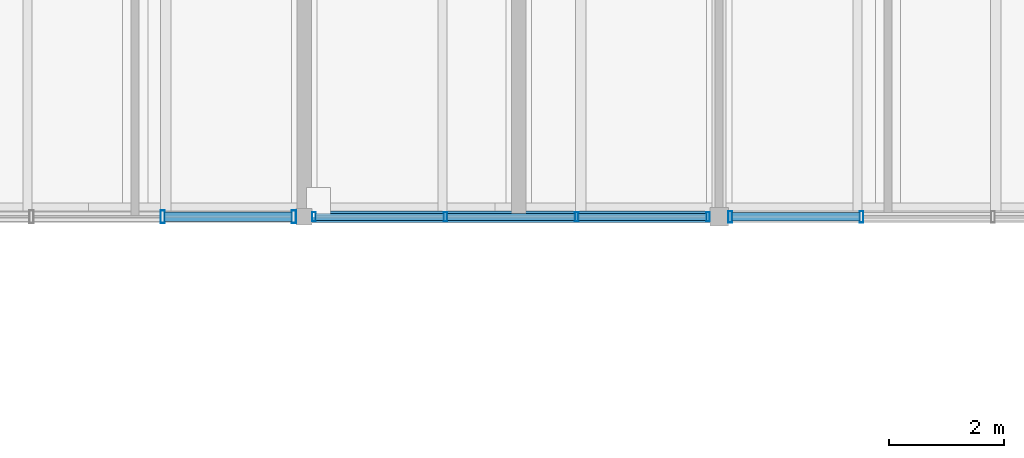
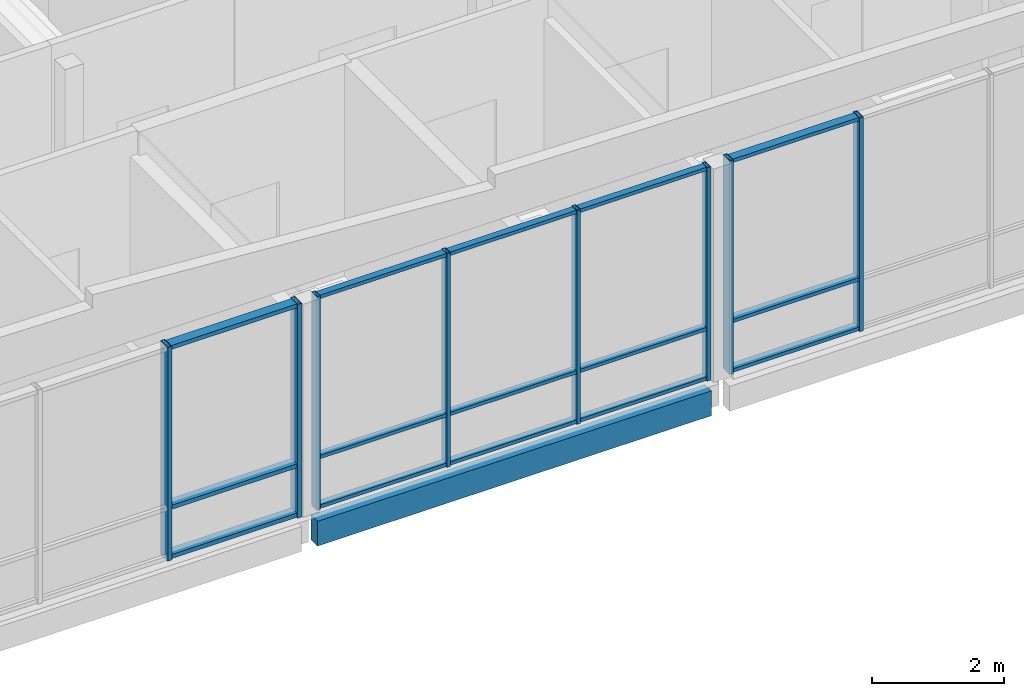
# One storey, part 12 of 32: 23 members, 1 beam, 3 elements without a shape of their own.
"""IFC4 building model written with IfcOpenShell, lengths in metres."""

from ifc_helpers import new_model, si_unit, direction, frame, origin, origin_2d, place, context, subcontext, project, spatial, rectangle, hollow_rectangle, extrude, material, material_profile, profile_set, type_object, element, aggregate, save


model = new_model("IFC4")

# Units and contexts
model_context = context("Model", 3, precision=1e-05, world=origin(), true_north=direction((0.0, 1.0)))
body_context = subcontext(model_context, "Body", "Model", "MODEL_VIEW")
ifc_project = project(units=[si_unit("LENGTHUNIT", "METRE"), si_unit("AREAUNIT", "SQUARE_METRE"), si_unit("VOLUMEUNIT", "CUBIC_METRE"), si_unit("PLANEANGLEUNIT", "RADIAN"), si_unit("MASSUNIT", "GRAM", prefix="KILO")], contexts=[model_context])

# Site, building, storey
site_placement = place(None, origin())
site = spatial("IfcSite", under=ifc_project, at=site_placement, CompositionType="ELEMENT")
building_placement = place(site_placement, origin())
building = spatial("IfcBuilding", under=site, at=building_placement, Name="Hawrajan Terrace Health Centre", CompositionType="ELEMENT")
storey_placement = place(building_placement, frame((0.0, 0.0, 17.39990234375)))
storey = spatial("IfcBuildingStorey", under=building, at=storey_placement, Name="L04", CompositionType="ELEMENT", Elevation=17.39990234375)

# Curtain wall, members
ifc_material_1 = material(Name="Anodized bronze aluminium and low-E solar glazing", Category="aluminium")
curtain_wall_type_1 = type_object("IfcCurtainWallType", Name="CW_CourtNS_SeriesC3", PredefinedType="USERDEFINED", material=ifc_material_1)
curtain_wall_1_placement = place(storey_placement, origin())
curtain_wall_1 = element("IfcCurtainWall", 1, at=curtain_wall_1_placement, inside=storey, type_object=curtain_wall_type_1, Name="Curtain wall CW-L04-177", ObjectType="UNITISED CURTAIN WALL", PredefinedType="USERDEFINED")
ifc_material_2 = material(Name="Anodized bronze aluminium 6063-T6", Category="aluminium")
ifc_material_profile_1 = material_profile(ifc_material_2, hollow_rectangle(XDim=0.06494140625, YDim=0.159912109375, WallThickness=0.00390625, at=origin_2d()), Name="CW MUL 65x160")
ifc_profile_set_1 = profile_set([ifc_material_profile_1], Name="Anodized bronze aluminium 6063-T6")
member_type_1 = type_object("IfcMemberType", Name="CWMullion_65x160", PredefinedType="MULLION", material=ifc_profile_set_1)
member_1_placement = place(storey_placement, frame((40.7724609375, 45.39990234375, -0.0048828125), z_axis=(0.0, 0.0, 1.0), x_axis=(1.0, 0.0, 0.0)))
member_1 = element("IfcMember", 2, at=member_1_placement, type_object=member_type_1, Name="Mullion CW-L04-177-M1", PredefinedType="MULLION", context=body_context, shape_type="SweptSolid", body=[
    extrude(hollow_rectangle(XDim=0.06494140625, YDim=0.159912109375, WallThickness=0.00390625, at=origin_2d()), origin(), (0.0, 0.0, 1.0), 3.9599609375),
])
member_2_placement = place(storey_placement, frame((43.05078125, 45.39990234375, -0.0048828125), z_axis=(0.0, 0.0, 1.0), x_axis=(1.0, 0.0, 0.0)))
member_2 = element("IfcMember", 3, at=member_2_placement, type_object=member_type_1, Name="Mullion CW-L04-177-M2", PredefinedType="MULLION", context=body_context, shape_type="SweptSolid", body=[
    extrude(hollow_rectangle(XDim=0.06494140625, YDim=0.159912109375, WallThickness=0.00390625, at=origin_2d()), origin(), (0.0, 0.0, 1.0), 3.9599609375),
])
member_3_placement = place(storey_placement, frame((45.3291015625, 45.39990234375, -0.0048828125), z_axis=(0.0, 0.0, 1.0), x_axis=(1.0, 0.0, 0.0)))
member_3 = element("IfcMember", 4, at=member_3_placement, type_object=member_type_1, Name="Mullion CW-L04-177-M3", PredefinedType="MULLION", context=body_context, shape_type="SweptSolid", body=[
    extrude(hollow_rectangle(XDim=0.06494140625, YDim=0.159912109375, WallThickness=0.00390625, at=origin_2d()), origin(), (0.0, 0.0, 1.0), 3.9599609375),
])
member_4_placement = place(storey_placement, frame((47.607421875, 45.39990234375, -0.0048828125), z_axis=(0.0, 0.0, 1.0), x_axis=(1.0, 0.0, 0.0)))
member_4 = element("IfcMember", 5, at=member_4_placement, type_object=member_type_1, Name="Mullion CW-L04-177-M4", PredefinedType="MULLION", context=body_context, shape_type="SweptSolid", body=[
    extrude(hollow_rectangle(XDim=0.06494140625, YDim=0.159912109375, WallThickness=0.00390625, at=origin_2d()), origin(), (0.0, 0.0, 1.0), 3.9599609375),
])

curtain_wall_type_2 = type_object("IfcCurtainWallType", Name="CW_Hall_SeriesD1", PredefinedType="USERDEFINED", material=ifc_material_1)
curtain_wall_2_placement = place(storey_placement, origin())
curtain_wall_2 = element("IfcCurtainWall", 6, at=curtain_wall_2_placement, inside=storey, type_object=curtain_wall_type_2, Name="Curtain wall CW-L04-178", ObjectType="UNITISED CURTAIN WALL", PredefinedType="USERDEFINED")
ifc_material_profile_2 = material_profile(ifc_material_2, hollow_rectangle(XDim=0.06494140625, YDim=0.199951171875, WallThickness=0.00439453125, at=origin_2d()), Name="CW MUL 65x200")
ifc_profile_set_2 = profile_set([ifc_material_profile_2], Name="Anodized bronze aluminium 6063-T6")
member_type_2 = type_object("IfcMemberType", Name="CWMullion_65x200", PredefinedType="MULLION", material=ifc_profile_set_2)
member_5_placement = place(storey_placement, frame((47.992431640625, 45.39990234375, -0.0048828125), z_axis=(0.0, 0.0, 1.0), x_axis=(1.0, 0.0, 0.0)))
member_5 = element("IfcMember", 7, at=member_5_placement, type_object=member_type_2, Name="Mullion CW-L04-178-M1", PredefinedType="MULLION", context=body_context, shape_type="SweptSolid", body=[
    extrude(hollow_rectangle(XDim=0.06494140625, YDim=0.199951171875, WallThickness=0.00439453125, at=origin_2d()), origin(), (0.0, 0.0, 1.0), 3.9599609375),
])
member_6_placement = place(storey_placement, frame((50.270751953125, 45.39990234375, -0.0048828125), z_axis=(0.0, 0.0, 1.0), x_axis=(1.0, 0.0, 0.0)))
member_6 = element("IfcMember", 8, at=member_6_placement, type_object=member_type_2, Name="Mullion CW-L04-178-M2", PredefinedType="MULLION", context=body_context, shape_type="SweptSolid", body=[
    extrude(hollow_rectangle(XDim=0.06494140625, YDim=0.199951171875, WallThickness=0.00439453125, at=origin_2d()), origin(), (0.0, 0.0, 1.0), 3.9599609375),
])

curtain_wall_type_3 = type_object("IfcCurtainWallType", Name="CW_CourtNS_SeriesC2", PredefinedType="USERDEFINED", material=ifc_material_1)
curtain_wall_3_placement = place(storey_placement, origin())
curtain_wall_3 = element("IfcCurtainWall", 9, at=curtain_wall_3_placement, inside=storey, type_object=curtain_wall_type_3, Name="Curtain wall CW-L04-176", ObjectType="UNITISED CURTAIN WALL", PredefinedType="USERDEFINED")
ifc_material_profile_3 = material_profile(ifc_material_2, hollow_rectangle(XDim=0.074951171875, YDim=0.219970703125, WallThickness=0.0048828125, at=origin_2d()), Name="CW MUL 75x220")
ifc_profile_set_3 = profile_set([ifc_material_profile_3], Name="Anodized bronze aluminium 6063-T6")
member_type_3 = type_object("IfcMemberType", Name="CWMullion_75x220", PredefinedType="MULLION", material=ifc_profile_set_3)
member_7_placement = place(storey_placement, frame((38.1474609375, 45.39990234375, -0.0048828125), z_axis=(0.0, 0.0, 1.0), x_axis=(1.0, 0.0, 0.0)))
member_7 = element("IfcMember", 10, at=member_7_placement, type_object=member_type_3, Name="Mullion CW-L04-176-M3", PredefinedType="MULLION", context=body_context, shape_type="SweptSolid", body=[
    extrude(hollow_rectangle(XDim=0.074951171875, YDim=0.219970703125, WallThickness=0.0048828125, at=origin_2d()), origin(), (0.0, 0.0, 1.0), 3.9599609375),
])
member_8_placement = place(storey_placement, frame((40.422607421875, 45.39990234375, -0.0048828125), z_axis=(0.0, 0.0, 1.0), x_axis=(1.0, 0.0, 0.0)))
member_8 = element("IfcMember", 11, at=member_8_placement, type_object=member_type_3, Name="Mullion CW-L04-176-M4", PredefinedType="MULLION", context=body_context, shape_type="SweptSolid", body=[
    extrude(hollow_rectangle(XDim=0.074951171875, YDim=0.219970703125, WallThickness=0.0048828125, at=origin_2d()), origin(), (0.0, 0.0, 1.0), 3.9599609375),
])

# Member
ifc_material_profile_4 = material_profile(ifc_material_2, hollow_rectangle(XDim=0.06494140625, YDim=0.1201171875, WallThickness=0.00341796875, at=origin_2d()), Name="CW TRN 65x120")
ifc_profile_set_4 = profile_set([ifc_material_profile_4], Name="Anodized bronze aluminium 6063-T6")
member_type_4 = type_object("IfcMemberType", Name="CWTransom_65x120", PredefinedType="USERDEFINED", material=ifc_profile_set_4)
member_9_placement = place(storey_placement, frame((40.799072265625, 45.39990234375, 0.03271484375), z_axis=(1.0, 0.0, 0.0), x_axis=(0.0, 0.0, 1.0)))
member_9 = element("IfcMember", 12, at=member_9_placement, type_object=member_type_4, Name="Transom CW-L04-177-T1-1", ObjectType="TRANSOM", PredefinedType="USERDEFINED", context=body_context, shape_type="SweptSolid", body=[
    extrude(hollow_rectangle(XDim=0.06494140625, YDim=0.1201171875, WallThickness=0.00341796875, at=origin_2d()), origin(), (0.0, 0.0, 1.0), 2.225341796875),
])

member_10_placement = place(storey_placement, frame((40.799072265625, 45.39990234375, 0.9501953125), z_axis=(1.0, 0.0, 0.0), x_axis=(0.0, 0.0, 1.0)))
member_10 = element("IfcMember", 13, at=member_10_placement, type_object=member_type_4, Name="Transom CW-L04-177-T1-2", ObjectType="TRANSOM", PredefinedType="USERDEFINED", context=body_context, shape_type="SweptSolid", body=[
    extrude(hollow_rectangle(XDim=0.06494140625, YDim=0.1201171875, WallThickness=0.00341796875, at=origin_2d()), origin(), (0.0, 0.0, 1.0), 2.225341796875),
])

member_11_placement = place(storey_placement, frame((40.799072265625, 45.39990234375, 3.91748046875), z_axis=(1.0, 0.0, 0.0), x_axis=(0.0, 0.0, 1.0)))
member_11 = element("IfcMember", 14, at=member_11_placement, type_object=member_type_4, Name="Transom CW-L04-177-T1-3", ObjectType="TRANSOM", PredefinedType="USERDEFINED", context=body_context, shape_type="SweptSolid", body=[
    extrude(hollow_rectangle(XDim=0.06494140625, YDim=0.1201171875, WallThickness=0.00341796875, at=origin_2d()), origin(), (0.0, 0.0, 1.0), 2.225341796875),
])

member_12_placement = place(storey_placement, frame((43.077392578125, 45.39990234375, 0.03271484375), z_axis=(1.0, 0.0, 0.0), x_axis=(0.0, 0.0, 1.0)))
member_12 = element("IfcMember", 15, at=member_12_placement, type_object=member_type_4, Name="Transom CW-L04-177-T2-1", ObjectType="TRANSOM", PredefinedType="USERDEFINED", context=body_context, shape_type="SweptSolid", body=[
    extrude(hollow_rectangle(XDim=0.06494140625, YDim=0.1201171875, WallThickness=0.00341796875, at=origin_2d()), origin(), (0.0, 0.0, 1.0), 2.225341796875),
])

member_13_placement = place(storey_placement, frame((43.077392578125, 45.39990234375, 0.9501953125), z_axis=(1.0, 0.0, 0.0), x_axis=(0.0, 0.0, 1.0)))
member_13 = element("IfcMember", 16, at=member_13_placement, type_object=member_type_4, Name="Transom CW-L04-177-T2-2", ObjectType="TRANSOM", PredefinedType="USERDEFINED", context=body_context, shape_type="SweptSolid", body=[
    extrude(hollow_rectangle(XDim=0.06494140625, YDim=0.1201171875, WallThickness=0.00341796875, at=origin_2d()), origin(), (0.0, 0.0, 1.0), 2.225341796875),
])

member_14_placement = place(storey_placement, frame((43.077392578125, 45.39990234375, 3.91748046875), z_axis=(1.0, 0.0, 0.0), x_axis=(0.0, 0.0, 1.0)))
member_14 = element("IfcMember", 17, at=member_14_placement, type_object=member_type_4, Name="Transom CW-L04-177-T2-3", ObjectType="TRANSOM", PredefinedType="USERDEFINED", context=body_context, shape_type="SweptSolid", body=[
    extrude(hollow_rectangle(XDim=0.06494140625, YDim=0.1201171875, WallThickness=0.00341796875, at=origin_2d()), origin(), (0.0, 0.0, 1.0), 2.225341796875),
])

member_15_placement = place(storey_placement, frame((45.355712890625, 45.39990234375, 0.03271484375), z_axis=(1.0, 0.0, 0.0), x_axis=(0.0, 0.0, 1.0)))
member_15 = element("IfcMember", 18, at=member_15_placement, type_object=member_type_4, Name="Transom CW-L04-177-T3-1", ObjectType="TRANSOM", PredefinedType="USERDEFINED", context=body_context, shape_type="SweptSolid", body=[
    extrude(hollow_rectangle(XDim=0.06494140625, YDim=0.1201171875, WallThickness=0.00341796875, at=origin_2d()), origin(), (0.0, 0.0, 1.0), 2.225341796875),
])

member_16_placement = place(storey_placement, frame((45.355712890625, 45.39990234375, 0.9501953125), z_axis=(1.0, 0.0, 0.0), x_axis=(0.0, 0.0, 1.0)))
member_16 = element("IfcMember", 19, at=member_16_placement, type_object=member_type_4, Name="Transom CW-L04-177-T3-2", ObjectType="TRANSOM", PredefinedType="USERDEFINED", context=body_context, shape_type="SweptSolid", body=[
    extrude(hollow_rectangle(XDim=0.06494140625, YDim=0.1201171875, WallThickness=0.00341796875, at=origin_2d()), origin(), (0.0, 0.0, 1.0), 2.225341796875),
])

member_17_placement = place(storey_placement, frame((45.355712890625, 45.39990234375, 3.91748046875), z_axis=(1.0, 0.0, 0.0), x_axis=(0.0, 0.0, 1.0)))
member_17 = element("IfcMember", 20, at=member_17_placement, type_object=member_type_4, Name="Transom CW-L04-177-T3-3", ObjectType="TRANSOM", PredefinedType="USERDEFINED", context=body_context, shape_type="SweptSolid", body=[
    extrude(hollow_rectangle(XDim=0.06494140625, YDim=0.1201171875, WallThickness=0.00341796875, at=origin_2d()), origin(), (0.0, 0.0, 1.0), 2.225341796875),
])

aggregate(curtain_wall_1, [member_1, member_2, member_3, member_4, member_9, member_10, member_11, member_12, member_13, member_14, member_15, member_16, member_17])

ifc_material_profile_5 = material_profile(ifc_material_2, hollow_rectangle(XDim=0.06494140625, YDim=0.14990234375, WallThickness=0.00390625, at=origin_2d()), Name="CW TRN 65x150")
ifc_profile_set_5 = profile_set([ifc_material_profile_5], Name="Anodized bronze aluminium 6063-T6")
member_type_5 = type_object("IfcMemberType", Name="CWTransom_65x150", PredefinedType="USERDEFINED", material=ifc_profile_set_5)
member_18_placement = place(storey_placement, frame((48.01904296875, 45.39990234375, 0.03271484375), z_axis=(1.0, 0.0, 0.0), x_axis=(0.0, 0.0, 1.0)))
member_18 = element("IfcMember", 21, at=member_18_placement, type_object=member_type_5, Name="Transom CW-L04-178-T1-1", ObjectType="TRANSOM", PredefinedType="USERDEFINED", context=body_context, shape_type="SweptSolid", body=[
    extrude(hollow_rectangle(XDim=0.06494140625, YDim=0.14990234375, WallThickness=0.00390625, at=origin_2d()), origin(), (0.0, 0.0, 1.0), 2.225341796875),
])

member_19_placement = place(storey_placement, frame((48.01904296875, 45.39990234375, 0.9501953125), z_axis=(1.0, 0.0, 0.0), x_axis=(0.0, 0.0, 1.0)))
member_19 = element("IfcMember", 22, at=member_19_placement, type_object=member_type_5, Name="Transom CW-L04-178-T1-2", ObjectType="TRANSOM", PredefinedType="USERDEFINED", context=body_context, shape_type="SweptSolid", body=[
    extrude(hollow_rectangle(XDim=0.06494140625, YDim=0.14990234375, WallThickness=0.00390625, at=origin_2d()), origin(), (0.0, 0.0, 1.0), 2.225341796875),
])

member_20_placement = place(storey_placement, frame((48.01904296875, 45.39990234375, 3.91748046875), z_axis=(1.0, 0.0, 0.0), x_axis=(0.0, 0.0, 1.0)))
member_20 = element("IfcMember", 23, at=member_20_placement, type_object=member_type_5, Name="Transom CW-L04-178-T1-3", ObjectType="TRANSOM", PredefinedType="USERDEFINED", context=body_context, shape_type="SweptSolid", body=[
    extrude(hollow_rectangle(XDim=0.06494140625, YDim=0.14990234375, WallThickness=0.00390625, at=origin_2d()), origin(), (0.0, 0.0, 1.0), 2.225341796875),
])

aggregate(curtain_wall_2, [member_5, member_6, member_18, member_19, member_20])

ifc_material_profile_6 = material_profile(ifc_material_2, hollow_rectangle(XDim=0.074951171875, YDim=0.169921875, WallThickness=0.00439453125, at=origin_2d()), Name="CW TRN 75x170")
ifc_profile_set_6 = profile_set([ifc_material_profile_6], Name="Anodized bronze aluminium 6063-T6")
member_type_6 = type_object("IfcMemberType", Name="CWTransom_75x170", PredefinedType="USERDEFINED", material=ifc_profile_set_6)
member_21_placement = place(storey_placement, frame((38.178955078125, 45.39990234375, 0.03759765625), z_axis=(1.0, 0.0, 0.0), x_axis=(0.0, 0.0, 1.0)))
member_21 = element("IfcMember", 24, at=member_21_placement, type_object=member_type_6, Name="Transom CW-L04-176-T3-1", ObjectType="TRANSOM", PredefinedType="USERDEFINED", context=body_context, shape_type="SweptSolid", body=[
    extrude(hollow_rectangle(XDim=0.074951171875, YDim=0.169921875, WallThickness=0.00439453125, at=origin_2d()), origin(), (0.0, 0.0, 1.0), 2.212158203125),
])

member_22_placement = place(storey_placement, frame((38.178955078125, 45.39990234375, 0.9501953125), z_axis=(1.0, 0.0, 0.0), x_axis=(0.0, 0.0, 1.0)))
member_22 = element("IfcMember", 25, at=member_22_placement, type_object=member_type_6, Name="Transom CW-L04-176-T3-2", ObjectType="TRANSOM", PredefinedType="USERDEFINED", context=body_context, shape_type="SweptSolid", body=[
    extrude(hollow_rectangle(XDim=0.074951171875, YDim=0.169921875, WallThickness=0.00439453125, at=origin_2d()), origin(), (0.0, 0.0, 1.0), 2.212158203125),
])

member_23_placement = place(storey_placement, frame((38.178955078125, 45.39990234375, 3.91259765625), z_axis=(1.0, 0.0, 0.0), x_axis=(0.0, 0.0, 1.0)))
member_23 = element("IfcMember", 26, at=member_23_placement, type_object=member_type_6, Name="Transom CW-L04-176-T3-3", ObjectType="TRANSOM", PredefinedType="USERDEFINED", context=body_context, shape_type="SweptSolid", body=[
    extrude(hollow_rectangle(XDim=0.074951171875, YDim=0.169921875, WallThickness=0.00439453125, at=origin_2d()), origin(), (0.0, 0.0, 1.0), 2.212158203125),
])

aggregate(curtain_wall_3, [member_7, member_8, member_21, member_22, member_23])

# Beam
ifc_material_3 = material(Name="Glulam GL32h", Category="wood")
ifc_material_profile_7 = material_profile(ifc_material_3, rectangle(XDim=0.199951171875, YDim=0.4599609375, at=origin_2d()), Name="GL SP 200x460")
ifc_profile_set_7 = profile_set([ifc_material_profile_7], Name="Glulam GL32h")
beam_type = type_object("IfcBeamType", Name="GlulamSpandrel_200x460", PredefinedType="SPANDREL", material=ifc_profile_set_7)
beam_placement = place(storey_placement, frame((40.739990234375, 45.39990234375, -0.419921875), z_axis=(1.0, 0.0, 0.0), x_axis=(0.0, 1.0, 0.0)))
element("IfcBeam", 27, at=beam_placement, inside=storey, type_object=beam_type, Name="Beam BM-X-L04-W-06-Y6", PredefinedType="SPANDREL", context=body_context, shape_type="SweptSolid", body=[
    extrude(rectangle(XDim=0.199951171875, YDim=0.4599609375, at=origin_2d()), origin(), (0.0, 0.0, 1.0), 6.89990234375),
])

save(model, "model.ifc")
